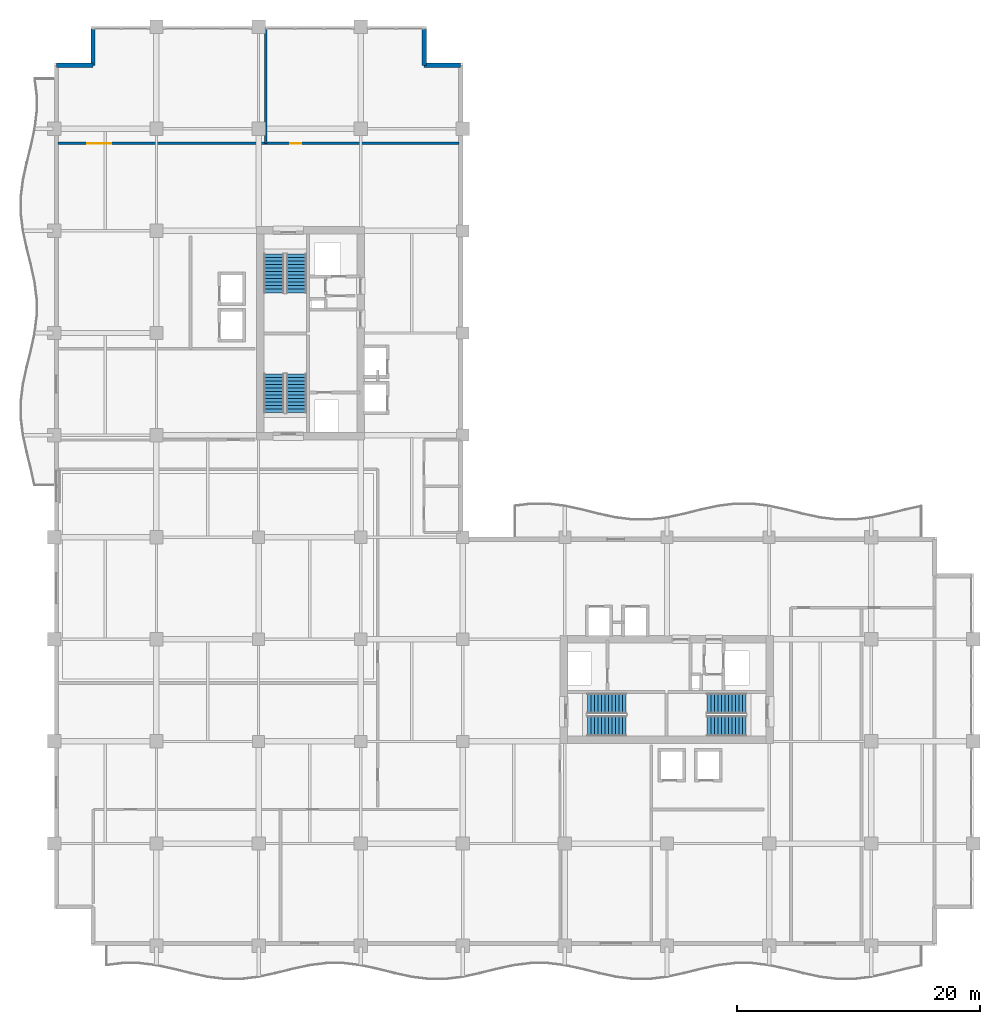
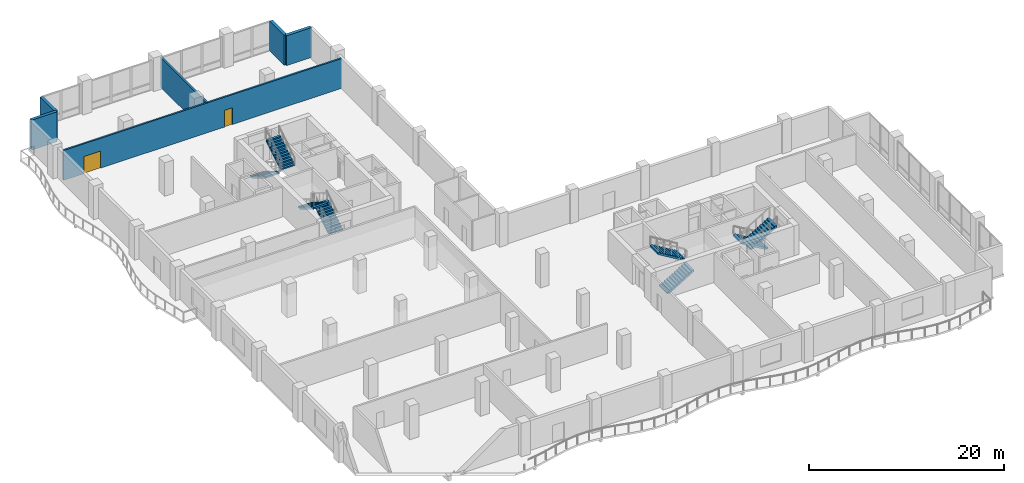
# One storey, part 16 of 21: 8 stair flights, 6 walls, 2 doors, 2 openings, 4 elements without a shape of their own.
"""IFC4 building model written with IfcOpenShell, lengths in metres."""

from ifc_helpers import new_model, si_unit, direction, frame, frame_2d, origin, place, context, subcontext, project, spatial, polyline, rectangle, outline, extrude, material, layer, layer_set, type_object, element, fill, aggregate, save


model = new_model("IFC4")

# Units and contexts
model_context = context("Model", 3, precision=1e-05, world=origin(), true_north=direction((0.0, 1.0)))
body_context = subcontext(model_context, "Body", "Model", "MODEL_VIEW")
ifc_project = project(units=[si_unit("LENGTHUNIT", "METRE"), si_unit("AREAUNIT", "SQUARE_METRE"), si_unit("VOLUMEUNIT", "CUBIC_METRE"), si_unit("PLANEANGLEUNIT", "RADIAN"), si_unit("MASSUNIT", "GRAM", prefix="KILO")], contexts=[model_context])

# Site, building, storey
site_placement = place(None, origin())
site = spatial("IfcSite", under=ifc_project, at=site_placement, CompositionType="ELEMENT")
building_placement = place(site_placement, origin())
building = spatial("IfcBuilding", under=site, at=building_placement, Name="Koriwani Terraces Tower", CompositionType="ELEMENT")
storey_placement = place(building_placement, frame((0.0, 0.0, 224.0)))
storey = spatial("IfcBuildingStorey", under=building, at=storey_placement, Name="L55", CompositionType="ELEMENT", Elevation=224.0)

# Wall, openings, doors
ifc_material_1 = material(Name="Autoclaved Cellular Concrete Blockwork", Category="masonry")
ifc_layer_1 = layer(ifc_material_1, 0.199951171875, Name="Autoclaved Cellular Concrete Blockwork")
ifc_layer_set_1 = layer_set([ifc_layer_1], Name="Autoclaved Cellular Concrete Blockwork")
wall_type_1 = type_object("IfcWallType", Name="WALL_CORRIDOR_200", PredefinedType="PARTITIONING", material=ifc_layer_set_1)
wall_1_placement = place(storey_placement, frame((0.300048828125, 66.0, 0.0), z_axis=(0.0, 0.0, 1.0), x_axis=(1.0, 0.0, 0.0)))
wall_1 = element("IfcWall", 1, at=wall_1_placement, inside=storey, type_object=wall_type_1, Name="L55 Interior Wall WSKY-N1-L55", PredefinedType="PARTITIONING", context=body_context, shape_type="SweptSolid", body=[
    extrude(rectangle(XDim=33.0, YDim=0.199951171875, at=frame_2d((16.5, 0.0))), origin(), (0.0, 0.0, 1.0), 3.75),
])
opening_1_placement = place(wall_1_placement, frame((2.39990234375, 0.0, 0.0)))
opening_1 = element("IfcOpeningElement", 2, at=opening_1_placement, cuts=wall_1, Name="Opening D-02", PredefinedType="OPENING", context=body_context, shape_type="SweptSolid", body=[
    extrude(rectangle(XDim=2.0, YDim=2.14990234375, at=frame_2d((1.0, 1.074951171875))), frame((0.0, 0.10986328125, 0.0), z_axis=(0.0, -1.0, 0.0), x_axis=(1.0, 0.0, 0.0)), (0.0, 0.0, 1.0), 0.219970703125),
])
opening_2_placement = place(wall_1_placement, frame((19.10009765625, 0.0, 0.0)))
opening_2 = element("IfcOpeningElement", 3, at=opening_2_placement, cuts=wall_1, Name="Opening D-06", PredefinedType="OPENING", context=body_context, shape_type="SweptSolid", body=[
    extrude(rectangle(XDim=0.919921875, YDim=2.10009765625, at=frame_2d((0.4599609375, 1.050048828125))), frame((0.0, 0.10986328125, 0.0), z_axis=(0.0, -1.0, 0.0), x_axis=(1.0, 0.0, 0.0)), (0.0, 0.0, 1.0), 0.219970703125),
])
ifc_material_2 = material(Name="Anodised Bronze Aluminium", Category="aluminium")
door_type_1 = type_object("IfcDoorType", Name="DOOR_ENTRANCE_DOUBLE_2000X2400", OperationType="NOTDEFINED", PredefinedType="DOOR", material=ifc_material_2)
door_1_placement = place(opening_1_placement, origin())
door_1 = element("IfcDoor", 4, at=door_1_placement, inside=storey, type_object=door_type_1, Name="L55 North Wellness Studio Door", OperationType="SINGLE_SWING_LEFT", OverallHeight=2.14990234375, OverallWidth=2.0, PredefinedType="DOOR", context=body_context, shape_type="SweptSolid", body=[
    extrude(rectangle(XDim=2.0, YDim=2.14990234375, at=frame_2d((1.0, 1.074951171875))), frame((0.0, 0.02490234375, 0.0), z_axis=(0.0, -1.0, 0.0), x_axis=(1.0, 0.0, 0.0)), (0.0, 0.0, 1.0), 0.050048828125),
])
fill(opening_1, door_1)
ifc_material_3 = material(Name="Architectural Oak Fire Door", Category="wood")
door_type_2 = type_object("IfcDoorType", Name="DOOR_ROOM_INT_920X2100", OperationType="NOTDEFINED", PredefinedType="DOOR", material=ifc_material_3)
door_2_placement = place(opening_2_placement, origin())
door_2 = element("IfcDoor", 5, at=door_2_placement, inside=storey, type_object=door_type_2, Name="L55 North Observatory Salon Door", OperationType="SINGLE_SWING_RIGHT", OverallHeight=2.10009765625, OverallWidth=0.919921875, PredefinedType="DOOR", context=body_context, shape_type="SweptSolid", body=[
    extrude(rectangle(XDim=0.919921875, YDim=2.10009765625, at=frame_2d((0.4599609375, 1.050048828125))), frame((0.0, 0.02490234375, 0.0), z_axis=(0.0, -1.0, 0.0), x_axis=(1.0, 0.0, 0.0)), (0.0, 0.0, 1.0), 0.050048828125),
])
fill(opening_2, door_2)

# Walls
ifc_layer_2 = layer(ifc_material_1, 0.219970703125, Name="Autoclaved Cellular Concrete Blockwork")
ifc_layer_set_2 = layer_set([ifc_layer_2], Name="Autoclaved Cellular Concrete Blockwork")
wall_type_2 = type_object("IfcWallType", Name="WALL_DEMISING_220", PredefinedType="PARTITIONING", material=ifc_layer_set_2)
wall_2_placement = place(storey_placement, frame((17.39990234375, 66.0, 0.0), z_axis=(0.0, 0.0, 1.0), x_axis=(0.0, 1.0, 0.0)))
element("IfcWall", 6, at=wall_2_placement, inside=storey, type_object=wall_type_2, Name="L55 Interior Wall WSKY-NDIV-L55", PredefinedType="PARTITIONING", context=body_context, shape_type="SweptSolid", body=[
    extrude(rectangle(XDim=9.449951171875, YDim=0.219970703125, at=frame_2d((4.72509765625, 0.0))), origin(), (0.0, 0.0, 1.0), 3.75),
])
ifc_material_4 = material(Name="Concrete C50/60", Category="concrete")
ifc_layer_3 = layer(ifc_material_4, 0.35009765625, Name="Concrete C50/60")
ifc_layer_set_3 = layer_set([ifc_layer_3], Name="Concrete C50/60")
wall_type_3 = type_object("IfcWallType", Name="WALL_EXT_BRUTALIST_350", PredefinedType="STANDARD", material=ifc_layer_set_3)
for number, where, z_axis, x_axis, name in (
    (7, (0.175048828125, 72.425048828125, 0.0), (0.0, 0.0, 1.0), (1.0, 0.0, 0.0), "L55 Fair-Faced Brutalist Exterior Wall (N3)"),
    (8, (3.175048828125, 72.425048828125, 0.0), (0.0, 0.0, 1.0), (0.0, 1.0, 0.0), "L55 Fair-Faced Brutalist Exterior Wall (N4)"),
    (9, (30.425048828125, 75.425048828125, 0.0), (0.0, 0.0, 1.0), (0.0, -1.0, 0.0), "L55 Fair-Faced Brutalist Exterior Wall (N6)"),
    (10, (30.425048828125, 72.425048828125, 0.0), (0.0, 0.0, 1.0), (1.0, 0.0, 0.0), "L55 Fair-Faced Brutalist Exterior Wall (N7)"),
):
    element("IfcWall", number, at=place(storey_placement, frame(where, z_axis=z_axis, x_axis=x_axis)), inside=storey, type_object=wall_type_3, Name=name, PredefinedType="STANDARD", context=body_context, shape_type="SweptSolid", body=[
        extrude(rectangle(XDim=3.0, YDim=0.35009765625, at=frame_2d((1.5, 0.0))), origin(), (0.0, 0.0, 1.0), 3.75),
    ])

# Stair, stair flights
ifc_material_5 = material(Name="Concrete C40/50", Category="concrete")
stair_type = type_object("IfcStairType", Name="STAIR_CORE_DOGLEG_1650", PredefinedType="TWO_STRAIGHT_RUN_STAIR", material=ifc_material_5)
stair_1_placement = place(storey_placement, origin())
stair_1 = element("IfcStair", 11, at=stair_1_placement, inside=storey, type_object=stair_type, Name="L55 West Core Exit Stair 1", PredefinedType="HALF_TURN_STAIR")
stair_flight_type = type_object("IfcStairFlightType", Name="STAIR_FLIGHT_RC_1650", PredefinedType="STRAIGHT", material=ifc_material_5)
stair_flight_1_placement = place(storey_placement, frame((19.925048828125, 43.85009765625, 0.0), z_axis=(0.0, 0.0, 1.0), x_axis=(0.0, 1.0, 0.0)))
stair_flight_1 = element("IfcStairFlight", 12, at=stair_flight_1_placement, type_object=stair_flight_type, Name="ST-W1 flight 1", NumberOfRisers=12, NumberOfTreads=11, PredefinedType="STRAIGHT", RiserHeight=0.175, TreadLength=0.29, context=body_context, shape_type="SweptSolid", body=[
    extrude(outline(polyline([(0.0, 0.0), (0.0, 0.175048828125), (0.2900390625, 0.175048828125), (0.2900390625, 0.35009765625), (0.580078125, 0.35009765625), (0.580078125, 0.52490234375), (0.8701171875, 0.52490234375), (0.8701171875, 0.699951171875), (1.159912109375, 0.699951171875), (1.159912109375, 0.875), (1.449951171875, 0.875), (1.449951171875, 1.050048828125), (1.739990234375, 1.050048828125), (1.739990234375, 1.22509765625), (2.030029296875, 1.22509765625), (2.030029296875, 1.39990234375), (2.320068359375, 1.39990234375), (2.320068359375, 1.574951171875), (2.610107421875, 1.574951171875), (2.610107421875, 1.75), (2.89990234375, 1.75), (2.89990234375, 1.925048828125), (3.18994140625, 1.925048828125), (3.18994140625, 2.10009765625), (3.18994140625, 1.71484375), (0.34814453125, 0.0), (0.0, 0.0)])), frame((0.0, 0.824951171875, 0.0), z_axis=(0.0, -1.0, 0.0), x_axis=(1.0, 0.0, 0.0)), (0.0, 0.0, 1.0), 1.64990234375),
])
stair_flight_2_placement = place(storey_placement, frame((18.074951171875, 47.0400390625, 2.10009765625), z_axis=(0.0, 0.0, 1.0), x_axis=(0.0, -1.0, 0.0)))
stair_flight_2 = element("IfcStairFlight", 13, at=stair_flight_2_placement, type_object=stair_flight_type, Name="ST-W1 flight 2", NumberOfRisers=12, NumberOfTreads=11, PredefinedType="STRAIGHT", RiserHeight=0.175, TreadLength=0.29, context=body_context, shape_type="SweptSolid", body=[
    extrude(outline(polyline([(0.0, 0.0), (0.0, 0.175048828125), (0.2900390625, 0.175048828125), (0.2900390625, 0.35009765625), (0.580078125, 0.35009765625), (0.580078125, 0.52490234375), (0.8701171875, 0.52490234375), (0.8701171875, 0.699951171875), (1.159912109375, 0.699951171875), (1.159912109375, 0.875), (1.449951171875, 0.875), (1.449951171875, 1.050048828125), (1.739990234375, 1.050048828125), (1.739990234375, 1.22509765625), (2.030029296875, 1.22509765625), (2.030029296875, 1.39990234375), (2.320068359375, 1.39990234375), (2.320068359375, 1.574951171875), (2.610107421875, 1.574951171875), (2.610107421875, 1.75), (2.89990234375, 1.75), (2.89990234375, 1.925048828125), (3.18994140625, 1.925048828125), (3.18994140625, 2.10009765625), (3.18994140625, 1.71484375), (0.34814453125, 0.0), (0.0, 0.0)])), frame((0.0, 0.824951171875, 0.0), z_axis=(0.0, -1.0, 0.0), x_axis=(1.0, 0.0, 0.0)), (0.0, 0.0, 1.0), 1.64990234375),
])
aggregate(stair_1, [stair_flight_1, stair_flight_2])

stair_2_placement = place(storey_placement, origin())
stair_2 = element("IfcStair", 14, at=stair_2_placement, inside=storey, type_object=stair_type, Name="L55 West Core Exit Stair 2", PredefinedType="HALF_TURN_STAIR")
stair_flight_3_placement = place(storey_placement, frame((18.074951171875, 56.89990234375, 0.0), z_axis=(0.0, 0.0, 1.0), x_axis=(0.0, -1.0, 0.0)))
stair_flight_3 = element("IfcStairFlight", 15, at=stair_flight_3_placement, type_object=stair_flight_type, Name="ST-W2 flight 1", NumberOfRisers=12, NumberOfTreads=11, PredefinedType="STRAIGHT", RiserHeight=0.175, TreadLength=0.29, context=body_context, shape_type="SweptSolid", body=[
    extrude(outline(polyline([(0.0, 0.0), (0.0, 0.175048828125), (0.2900390625, 0.175048828125), (0.2900390625, 0.35009765625), (0.580078125, 0.35009765625), (0.580078125, 0.52490234375), (0.8701171875, 0.52490234375), (0.8701171875, 0.699951171875), (1.159912109375, 0.699951171875), (1.159912109375, 0.875), (1.449951171875, 0.875), (1.449951171875, 1.050048828125), (1.739990234375, 1.050048828125), (1.739990234375, 1.22509765625), (2.030029296875, 1.22509765625), (2.030029296875, 1.39990234375), (2.320068359375, 1.39990234375), (2.320068359375, 1.574951171875), (2.610107421875, 1.574951171875), (2.610107421875, 1.75), (2.89990234375, 1.75), (2.89990234375, 1.925048828125), (3.18994140625, 1.925048828125), (3.18994140625, 2.10009765625), (3.18994140625, 1.71484375), (0.34814453125, 0.0), (0.0, 0.0)])), frame((0.0, 0.824951171875, 0.0), z_axis=(0.0, -1.0, 0.0), x_axis=(1.0, 0.0, 0.0)), (0.0, 0.0, 1.0), 1.64990234375),
])
stair_flight_4_placement = place(storey_placement, frame((19.925048828125, 53.7099609375, 2.10009765625), z_axis=(0.0, 0.0, 1.0), x_axis=(0.0, 1.0, 0.0)))
stair_flight_4 = element("IfcStairFlight", 16, at=stair_flight_4_placement, type_object=stair_flight_type, Name="ST-W2 flight 2", NumberOfRisers=12, NumberOfTreads=11, PredefinedType="STRAIGHT", RiserHeight=0.175, TreadLength=0.29, context=body_context, shape_type="SweptSolid", body=[
    extrude(outline(polyline([(0.0, 0.0), (0.0, 0.175048828125), (0.2900390625, 0.175048828125), (0.2900390625, 0.35009765625), (0.580078125, 0.35009765625), (0.580078125, 0.52490234375), (0.8701171875, 0.52490234375), (0.8701171875, 0.699951171875), (1.159912109375, 0.699951171875), (1.159912109375, 0.875), (1.449951171875, 0.875), (1.449951171875, 1.050048828125), (1.739990234375, 1.050048828125), (1.739990234375, 1.22509765625), (2.030029296875, 1.22509765625), (2.030029296875, 1.39990234375), (2.320068359375, 1.39990234375), (2.320068359375, 1.574951171875), (2.610107421875, 1.574951171875), (2.610107421875, 1.75), (2.89990234375, 1.75), (2.89990234375, 1.925048828125), (3.18994140625, 1.925048828125), (3.18994140625, 2.10009765625), (3.18994140625, 1.71484375), (0.34814453125, 0.0), (0.0, 0.0)])), frame((0.0, 0.824951171875, 0.0), z_axis=(0.0, -1.0, 0.0), x_axis=(1.0, 0.0, 0.0)), (0.0, 0.0, 1.0), 1.64990234375),
])
aggregate(stair_2, [stair_flight_3, stair_flight_4])

stair_3_placement = place(storey_placement, origin())
stair_3 = element("IfcStair", 17, at=stair_3_placement, inside=storey, type_object=stair_type, Name="L55 East Core Exit Stair 1", PredefinedType="HALF_TURN_STAIR")
stair_flight_5_placement = place(storey_placement, frame((43.85009765625, 18.074951171875, 0.0), z_axis=(0.0, 0.0, 1.0), x_axis=(1.0, 0.0, 0.0)))
stair_flight_5 = element("IfcStairFlight", 18, at=stair_flight_5_placement, type_object=stair_flight_type, Name="ST-E1 flight 1", NumberOfRisers=12, NumberOfTreads=11, PredefinedType="STRAIGHT", RiserHeight=0.175, TreadLength=0.29, context=body_context, shape_type="SweptSolid", body=[
    extrude(outline(polyline([(0.0, 0.0), (0.0, 0.175048828125), (0.2900390625, 0.175048828125), (0.2900390625, 0.35009765625), (0.580078125, 0.35009765625), (0.580078125, 0.52490234375), (0.8701171875, 0.52490234375), (0.8701171875, 0.699951171875), (1.159912109375, 0.699951171875), (1.159912109375, 0.875), (1.449951171875, 0.875), (1.449951171875, 1.050048828125), (1.739990234375, 1.050048828125), (1.739990234375, 1.22509765625), (2.030029296875, 1.22509765625), (2.030029296875, 1.39990234375), (2.320068359375, 1.39990234375), (2.320068359375, 1.574951171875), (2.610107421875, 1.574951171875), (2.610107421875, 1.75), (2.89990234375, 1.75), (2.89990234375, 1.925048828125), (3.18994140625, 1.925048828125), (3.18994140625, 2.10009765625), (3.18994140625, 1.71484375), (0.34814453125, 0.0), (0.0, 0.0)])), frame((0.0, 0.824951171875, 0.0), z_axis=(0.0, -1.0, 0.0), x_axis=(1.0, 0.0, 0.0)), (0.0, 0.0, 1.0), 1.64990234375),
])
stair_flight_6_placement = place(storey_placement, frame((47.0400390625, 19.925048828125, 2.10009765625), z_axis=(0.0, 0.0, 1.0), x_axis=(-1.0, 0.0, 0.0)))
stair_flight_6 = element("IfcStairFlight", 19, at=stair_flight_6_placement, type_object=stair_flight_type, Name="ST-E1 flight 2", NumberOfRisers=12, NumberOfTreads=11, PredefinedType="STRAIGHT", RiserHeight=0.175, TreadLength=0.29, context=body_context, shape_type="SweptSolid", body=[
    extrude(outline(polyline([(0.0, 0.0), (0.0, 0.175048828125), (0.2900390625, 0.175048828125), (0.2900390625, 0.35009765625), (0.580078125, 0.35009765625), (0.580078125, 0.52490234375), (0.8701171875, 0.52490234375), (0.8701171875, 0.699951171875), (1.159912109375, 0.699951171875), (1.159912109375, 0.875), (1.449951171875, 0.875), (1.449951171875, 1.050048828125), (1.739990234375, 1.050048828125), (1.739990234375, 1.22509765625), (2.030029296875, 1.22509765625), (2.030029296875, 1.39990234375), (2.320068359375, 1.39990234375), (2.320068359375, 1.574951171875), (2.610107421875, 1.574951171875), (2.610107421875, 1.75), (2.89990234375, 1.75), (2.89990234375, 1.925048828125), (3.18994140625, 1.925048828125), (3.18994140625, 2.10009765625), (3.18994140625, 1.71484375), (0.34814453125, 0.0), (0.0, 0.0)])), frame((0.0, 0.824951171875, 0.0), z_axis=(0.0, -1.0, 0.0), x_axis=(1.0, 0.0, 0.0)), (0.0, 0.0, 1.0), 1.64990234375),
])
aggregate(stair_3, [stair_flight_5, stair_flight_6])

stair_4_placement = place(storey_placement, origin())
stair_4 = element("IfcStair", 20, at=stair_4_placement, inside=storey, type_object=stair_type, Name="L55 East Core Exit Stair 2", PredefinedType="HALF_TURN_STAIR")
stair_flight_7_placement = place(storey_placement, frame((56.89990234375, 19.925048828125, 0.0), z_axis=(0.0, 0.0, 1.0), x_axis=(-1.0, 0.0, 0.0)))
stair_flight_7 = element("IfcStairFlight", 21, at=stair_flight_7_placement, type_object=stair_flight_type, Name="ST-E2 flight 1", NumberOfRisers=12, NumberOfTreads=11, PredefinedType="STRAIGHT", RiserHeight=0.175, TreadLength=0.29, context=body_context, shape_type="SweptSolid", body=[
    extrude(outline(polyline([(0.0, 0.0), (0.0, 0.175048828125), (0.2900390625, 0.175048828125), (0.2900390625, 0.35009765625), (0.580078125, 0.35009765625), (0.580078125, 0.52490234375), (0.8701171875, 0.52490234375), (0.8701171875, 0.699951171875), (1.159912109375, 0.699951171875), (1.159912109375, 0.875), (1.449951171875, 0.875), (1.449951171875, 1.050048828125), (1.739990234375, 1.050048828125), (1.739990234375, 1.22509765625), (2.030029296875, 1.22509765625), (2.030029296875, 1.39990234375), (2.320068359375, 1.39990234375), (2.320068359375, 1.574951171875), (2.610107421875, 1.574951171875), (2.610107421875, 1.75), (2.89990234375, 1.75), (2.89990234375, 1.925048828125), (3.18994140625, 1.925048828125), (3.18994140625, 2.10009765625), (3.18994140625, 1.71484375), (0.34814453125, 0.0), (0.0, 0.0)])), frame((0.0, 0.824951171875, 0.0), z_axis=(0.0, -1.0, 0.0), x_axis=(1.0, 0.0, 0.0)), (0.0, 0.0, 1.0), 1.64990234375),
])
stair_flight_8_placement = place(storey_placement, frame((53.7099609375, 18.074951171875, 2.10009765625), z_axis=(0.0, 0.0, 1.0), x_axis=(1.0, 0.0, 0.0)))
stair_flight_8 = element("IfcStairFlight", 22, at=stair_flight_8_placement, type_object=stair_flight_type, Name="ST-E2 flight 2", NumberOfRisers=12, NumberOfTreads=11, PredefinedType="STRAIGHT", RiserHeight=0.175, TreadLength=0.29, context=body_context, shape_type="SweptSolid", body=[
    extrude(outline(polyline([(0.0, 0.0), (0.0, 0.175048828125), (0.2900390625, 0.175048828125), (0.2900390625, 0.35009765625), (0.580078125, 0.35009765625), (0.580078125, 0.52490234375), (0.8701171875, 0.52490234375), (0.8701171875, 0.699951171875), (1.159912109375, 0.699951171875), (1.159912109375, 0.875), (1.449951171875, 0.875), (1.449951171875, 1.050048828125), (1.739990234375, 1.050048828125), (1.739990234375, 1.22509765625), (2.030029296875, 1.22509765625), (2.030029296875, 1.39990234375), (2.320068359375, 1.39990234375), (2.320068359375, 1.574951171875), (2.610107421875, 1.574951171875), (2.610107421875, 1.75), (2.89990234375, 1.75), (2.89990234375, 1.925048828125), (3.18994140625, 1.925048828125), (3.18994140625, 2.10009765625), (3.18994140625, 1.71484375), (0.34814453125, 0.0), (0.0, 0.0)])), frame((0.0, 0.824951171875, 0.0), z_axis=(0.0, -1.0, 0.0), x_axis=(1.0, 0.0, 0.0)), (0.0, 0.0, 1.0), 1.64990234375),
])
aggregate(stair_4, [stair_flight_7, stair_flight_8])

save(model, "model.ifc")
